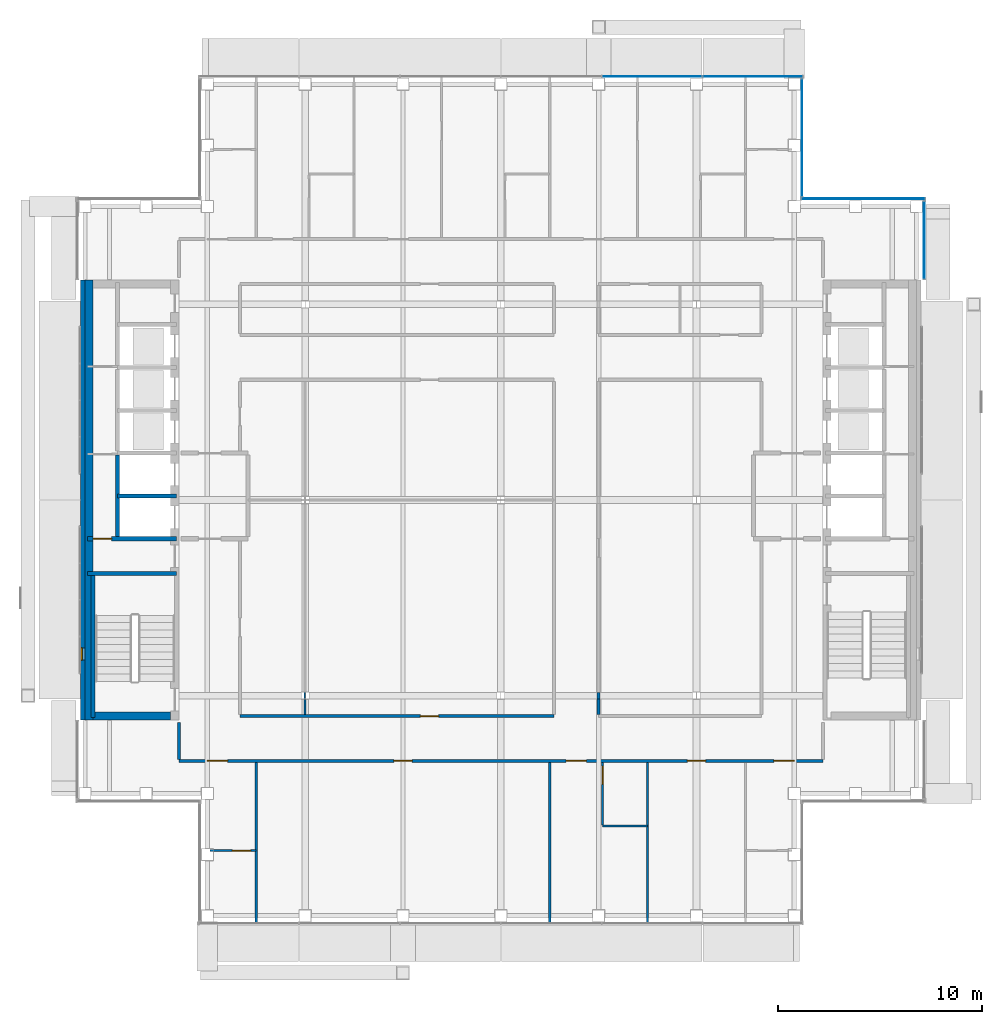
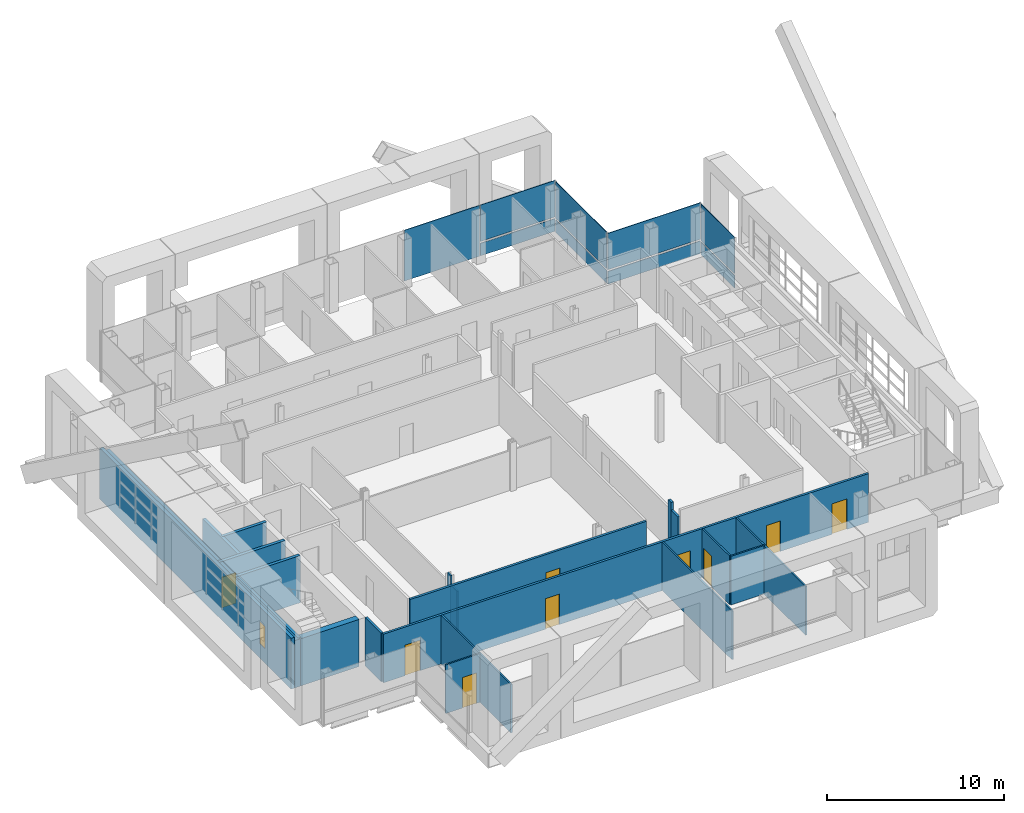
# One storey, part 11 of 23: 21 walls, 9 doors, 9 plates, 1 window, 10 openings, 4 elements without a shape of their own.
"""IFC4 building model written with IfcOpenShell, lengths in metres."""

import ifcopenshell
import ifcopenshell.guid

model = None  # the IFC model being written
_history = None  # IfcOwnerHistory: only IFC2X3 demands one
_inside = {}  # id of a spatial element -> (the spatial element, [elements in it])
_under = {}  # id of a project, library or spatial element -> (it, [spatial elements below it])
_declared = {}  # id of a project -> (the project, [libraries it declares])
_typed = {}  # id of a type object -> (the type object, [elements of that type])
_made_of = {}  # id of a material, layer set ... -> (it, [elements and type objects made of it])


def new_model(schema):
    """Start an empty IFC model of exactly this schema.

    Asked for "IFC4X3", IfcOpenShell would pick the latest addendum, in which some entities
    have other attributes; the version numbers below select the first issue.
    IFC2X3 requires an IfcOwnerHistory on every rooted entity: one is made here for all.
    """
    global model, _history
    if schema == "IFC4X3":
        model = ifcopenshell.file(schema_version=(4, 3, 0, 0))
    else:
        model = ifcopenshell.file(schema=schema)
    _inside.clear()
    _under.clear()
    _declared.clear()
    _typed.clear()
    _made_of.clear()
    _history = None
    if model.schema == "IFC2X3":
        org = make("IfcOrganization", Name="unknown")
        user = make(
            "IfcPersonAndOrganization",
            ThePerson=make("IfcPerson", FamilyName="unknown"),
            TheOrganization=org,
        )
        app = make(
            "IfcApplication",
            ApplicationDeveloper=org,
            Version="unknown",
            ApplicationFullName="unknown",
            ApplicationIdentifier="unknown",
        )
        _history = make(
            "IfcOwnerHistory",
            OwningUser=user,
            OwningApplication=app,
            ChangeAction="ADDED",
            CreationDate=0,
        )
    return model


def make(cls, **values):
    """One entity of the class cls with the attributes given. An attribute that is None is left unset."""
    return model.create_entity(
        cls, **{name: value for name, value in values.items() if value is not None}
    )


def rooted(cls, **values):
    """An entity with a GlobalId (a new one), such as an element, a storey or a relation."""
    return make(cls, GlobalId=ifcopenshell.guid.new(), OwnerHistory=_history, **values)


def si_unit(unit_type, name, prefix=None):
    """IfcSIUnit, for example si_unit("LENGTHUNIT", "METRE", prefix="MILLI")."""
    return make("IfcSIUnit", UnitType=unit_type, Prefix=prefix, Name=name)


def assignment(units):
    """IfcUnitAssignment: the units of a project."""
    return None if units is None else make("IfcUnitAssignment", Units=units)


def point(xyz):
    """IfcCartesianPoint."""
    return None if xyz is None else make("IfcCartesianPoint", Coordinates=xyz)


def direction(xyz):
    """IfcDirection."""
    return None if xyz is None else make("IfcDirection", DirectionRatios=xyz)


def frame(location, z_axis=None, x_axis=None):
    """IfcAxis2Placement3D, a coordinate frame: its origin and axes. An axis left out is left unset."""
    return make(
        "IfcAxis2Placement3D",
        Location=point(location),
        Axis=direction(z_axis),
        RefDirection=direction(x_axis),
    )


def frame_2d(location, x_axis=None):
    """IfcAxis2Placement2D, a coordinate frame in the plane: its origin and x axis."""
    return make(
        "IfcAxis2Placement2D", Location=point(location), RefDirection=direction(x_axis)
    )


def origin():
    """The frame at (0, 0, 0) with its axes left unset."""
    return frame((0.0, 0.0, 0.0))


def origin_2d():
    """The frame at (0, 0) in the plane with its x axis left unset."""
    return frame_2d((0.0, 0.0))


def place(relative_to, where):
    """IfcLocalPlacement: puts the frame where relative to a parent placement (None: the world)."""
    return make(
        "IfcLocalPlacement", PlacementRelTo=relative_to, RelativePlacement=where
    )


def context(
    kind, dimensions, precision=None, world=None, true_north=None, identifier=None
):
    """IfcGeometricRepresentationContext, for example the 3D "Model" context."""
    return make(
        "IfcGeometricRepresentationContext",
        ContextIdentifier=identifier,
        ContextType=kind,
        CoordinateSpaceDimension=dimensions,
        Precision=precision,
        WorldCoordinateSystem=world,
        TrueNorth=true_north,
    )


def subcontext(parent, identifier, kind, view, scale=None):
    """IfcGeometricRepresentationSubContext, for example "Body" below "Model"."""
    return make(
        "IfcGeometricRepresentationSubContext",
        ContextIdentifier=identifier,
        ContextType=kind,
        ParentContext=parent,
        TargetScale=scale,
        TargetView=view,
    )


def project(units=None, contexts=None):
    """IfcProject with its units and contexts."""
    return rooted(
        "IfcProject",
        Name="project",
        RepresentationContexts=contexts,
        UnitsInContext=assignment(units),
    )


def spatial(cls, under=None, at=None, **own):
    """A site, building, storey or space (cls), placed at a placement, below another one or the project."""
    s = rooted(cls, ObjectPlacement=at, **own)
    if under is not None:
        _under.setdefault(under.id(), (under, []))[1].append(s)
    return s


def profile(cls, at=None, kind="AREA", **sizes):
    """A parametric profile (cls). Its sizes go by their IFC names, for example OverallWidth=200.0."""
    return make(cls, ProfileType=kind, Position=at, **sizes)


def rectangle(**sizes):
    """IfcRectangleProfileDef."""
    return profile("IfcRectangleProfileDef", **sizes)


def extrude(swept, where, along, depth):
    """IfcExtrudedAreaSolid: the profile swept, set in the frame where, extruded along a direction by depth."""
    return make(
        "IfcExtrudedAreaSolid",
        SweptArea=swept,
        Position=where,
        ExtrudedDirection=direction(along),
        Depth=depth,
    )


def shape(context_of_items, identifier, shape_type, items):
    """IfcShapeRepresentation: the items that make up one representation, for example the "Body"."""
    return make(
        "IfcShapeRepresentation",
        ContextOfItems=context_of_items,
        RepresentationIdentifier=identifier,
        RepresentationType=shape_type,
        Items=items,
    )


def material(Name=None, Category=None):
    """IfcMaterial."""
    return make("IfcMaterial", Name=Name, Category=Category)


def layer(
    of_material, thickness, ventilated=None, Name=None, Category=None, Priority=None
):
    """IfcMaterialLayer: one layer of a wall or slab, of a material (None: an air gap)."""
    return make(
        "IfcMaterialLayer",
        Material=of_material,
        LayerThickness=thickness,
        IsVentilated=ventilated,
        Name=Name,
        Category=Category,
        Priority=Priority,
    )


def layer_set(layers, Name=None):
    """IfcMaterialLayerSet."""
    return make("IfcMaterialLayerSet", MaterialLayers=layers, LayerSetName=Name)


def made_of(thing, what):
    """Note that an element or type object is made of a material, layer set ...; save() writes the relation."""
    if what is not None:
        _made_of.setdefault(what.id(), (what, []))[1].append(thing)
    return thing


def type_object(cls, material=None, **own):
    """A type object (cls), such as IfcWallType, which elements share."""
    return made_of(rooted(cls, **own), material)


def element(
    cls,
    number,
    at=None,
    inside=None,
    cuts=None,
    type_object=None,
    material=None,
    context=None,
    identifier="Body",
    shape_type=None,
    held_by="IfcProductDefinitionShape",
    body=None,
    shapes=None,
    **own,
):
    """One element of the class cls, such as IfcWall. Its Tag is "e" and its number.

    at: its placement. inside: the storey or other place that contains it. cuts: it is an
    opening in that element (IfcRelVoidsElement). A single representation is given by context,
    identifier, shape_type and body (its items); several are given by shapes. held_by: the class
    of the entity that holds the representations. save() writes the other relations.
    """
    e = rooted(cls, Tag="e%d" % number, ObjectPlacement=at, **own)
    if body is not None:
        shapes = [shape(context, identifier, shape_type, body)]
    if shapes is not None:
        e.Representation = make(held_by, Representations=shapes)
    if inside is not None:
        _inside.setdefault(inside.id(), (inside, []))[1].append(e)
    if cuts is not None:
        rooted(
            "IfcRelVoidsElement", RelatingBuildingElement=cuts, RelatedOpeningElement=e
        )
    if type_object is not None:
        _typed.setdefault(type_object.id(), (type_object, []))[1].append(e)
    return made_of(e, material)


def fill(opening, filler):
    """IfcRelFillsElement: the door or window that sits in an opening."""
    return rooted(
        "IfcRelFillsElement",
        RelatingOpeningElement=opening,
        RelatedBuildingElement=filler,
    )


def aggregate(whole, parts):
    """IfcRelAggregates: a whole, such as a stair, and the parts it consists of."""
    return rooted("IfcRelAggregates", RelatingObject=whole, RelatedObjects=parts)


def save(model, path):
    """Write the relations noted so far, then the file.

    IfcRelAggregates (storeys below a building ...), IfcRelContainedInSpatialStructure (elements
    in a storey), IfcRelDefinesByType, IfcRelAssociatesMaterial and IfcRelDeclares: one each for
    every whole, place, type object, material and project.
    """
    for whole, parts in _under.values():
        aggregate(whole, parts)
    for where, things in _inside.values():
        rooted(
            "IfcRelContainedInSpatialStructure",
            RelatedElements=things,
            RelatingStructure=where,
        )
    for kind, things in _typed.values():
        rooted("IfcRelDefinesByType", RelatedObjects=things, RelatingType=kind)
    for what, things in _made_of.values():
        rooted("IfcRelAssociatesMaterial", RelatedObjects=things, RelatingMaterial=what)
    for by, libraries in _declared.values():
        rooted("IfcRelDeclares", RelatingContext=by, RelatedDefinitions=libraries)
    model.write(path)


model = new_model("IFC4")

# Units and contexts
model_context = context("Model", 3, precision=1e-05, world=origin(), true_north=direction((0.0, 1.0)))
body_context = subcontext(model_context, "Body", "Model", "MODEL_VIEW")
ifc_project = project(units=[si_unit("LENGTHUNIT", "METRE"), si_unit("AREAUNIT", "SQUARE_METRE"), si_unit("VOLUMEUNIT", "CUBIC_METRE"), si_unit("PLANEANGLEUNIT", "RADIAN"), si_unit("MASSUNIT", "GRAM", prefix="KILO")], contexts=[model_context])

# Site, building, storey
site_placement = place(None, origin())
site = spatial("IfcSite", under=ifc_project, at=site_placement, CompositionType="ELEMENT")
building_placement = place(site_placement, origin())
building = spatial("IfcBuilding", under=site, at=building_placement, Name="Cobrizo Arcos Hotel Tower", CompositionType="ELEMENT")
storey_placement = place(building_placement, frame((0.0, 0.0, 255.0)))
storey = spatial("IfcBuildingStorey", under=building, at=storey_placement, Name="L67", CompositionType="ELEMENT", Elevation=255.0)

# Curtain wall, plate
ifc_material_1 = material(Name="Aluminium 6063-T6 anodised bronze", Category="aluminium")
curtain_wall_type = type_object("IfcCurtainWallType", Name="CW-A guest facade", PredefinedType="NOTDEFINED", material=ifc_material_1)
curtain_wall_1_placement = place(storey_placement, origin())
curtain_wall_1 = element("IfcCurtainWall", 1, at=curtain_wall_1_placement, inside=storey, type_object=curtain_wall_type, Name="CW-A L67 E face", PredefinedType="NOTDEFINED")
ifc_material_2 = material(Name="Glass clear laminated low-e", Category="glass")
ifc_layer_1 = layer(ifc_material_2, 0.0400390625)
ifc_layer_set_1 = layer_set([ifc_layer_1], Name="CW-A glass panel")
plate_type_1 = type_object("IfcPlateType", Name="CW-A glass panel", PredefinedType="CURTAIN_PANEL", material=ifc_layer_set_1)
plate_1_placement = place(storey_placement, frame((20.77490234375, 12.75, 0.990234375), z_axis=(0.0, 0.0, 1.0), x_axis=(0.0, 1.0, 0.0)))
plate_1 = element("IfcPlate", 2, at=plate_1_placement, type_object=plate_type_1, Name="CW-A glass panel 2117", PredefinedType="CURTAIN_PANEL", context=body_context, shape_type="SweptSolid", body=[
    extrude(rectangle(XDim=3.780029296875, YDim=0.0400390625, at=origin_2d()), origin(), (0.0, 0.0, 1.0), 2.510009765625),
])

curtain_wall_2_placement = place(storey_placement, origin())
curtain_wall_2 = element("IfcCurtainWall", 3, at=curtain_wall_2_placement, inside=storey, type_object=curtain_wall_type, Name="CW-A L67 N face", PredefinedType="NOTDEFINED")
plate_2_placement = place(storey_placement, frame((17.77490234375, 14.77490234375, 0.990234375), z_axis=(0.0, 0.0, 1.0), x_axis=(-1.0, 0.0, 0.0)))
plate_2 = element("IfcPlate", 4, at=plate_2_placement, type_object=plate_type_1, Name="CW-A glass panel 2118", PredefinedType="CURTAIN_PANEL", context=body_context, shape_type="SweptSolid", body=[
    extrude(rectangle(XDim=6.030029296875, YDim=0.0400390625, at=origin_2d()), origin(), (0.0, 0.0, 1.0), 2.510009765625),
])

curtain_wall_3_placement = place(storey_placement, origin())
curtain_wall_3 = element("IfcCurtainWall", 5, at=curtain_wall_3_placement, inside=storey, type_object=curtain_wall_type, Name="CW-A L67 E face", PredefinedType="NOTDEFINED")
plate_3_placement = place(storey_placement, frame((14.77490234375, 17.77490234375, 0.990234375), z_axis=(0.0, 0.0, 1.0), x_axis=(0.0, 1.0, 0.0)))
plate_3 = element("IfcPlate", 6, at=plate_3_placement, type_object=plate_type_1, Name="CW-A glass panel 2119", PredefinedType="CURTAIN_PANEL", context=body_context, shape_type="SweptSolid", body=[
    extrude(rectangle(XDim=5.72998046875, YDim=0.0400390625, at=origin_2d()), origin(), (0.0, 0.0, 1.0), 2.510009765625),
])

curtain_wall_4_placement = place(storey_placement, origin())
curtain_wall_4 = element("IfcCurtainWall", 7, at=curtain_wall_4_placement, inside=storey, type_object=curtain_wall_type, Name="CW-A L67 N face", PredefinedType="NOTDEFINED")
plate_4_placement = place(storey_placement, frame((12.360107421875, 20.77490234375, 0.990234375), z_axis=(0.0, 0.0, 1.0), x_axis=(-1.0, 0.0, 0.0)))
plate_4 = element("IfcPlate", 8, at=plate_4_placement, type_object=plate_type_1, Name="CW-A glass panel 2120", PredefinedType="CURTAIN_PANEL", context=body_context, shape_type="SweptSolid", body=[
    extrude(rectangle(XDim=4.860107421875, YDim=0.0400390625, at=origin_2d()), origin(), (0.0, 0.0, 1.0), 2.510009765625),
])

# Plate
ifc_material_3 = material(Name="Aluminium composite panel pale metal", Category="aluminium")
ifc_layer_2 = layer(ifc_material_3, 0.0400390625)
ifc_layer_set_2 = layer_set([ifc_layer_2], Name="CW-A spandrel panel")
plate_type_2 = type_object("IfcPlateType", Name="CW-A spandrel panel", PredefinedType="CURTAIN_PANEL", material=ifc_layer_set_2)
plate_5_placement = place(storey_placement, frame((20.77490234375, 12.75, 0.0), z_axis=(0.0, 0.0, 1.0), x_axis=(0.0, 1.0, 0.0)))
plate_5 = element("IfcPlate", 9, at=plate_5_placement, type_object=plate_type_2, Name="CW-A spandrel panel 2117", PredefinedType="CURTAIN_PANEL", context=body_context, shape_type="SweptSolid", body=[
    extrude(rectangle(XDim=3.780029296875, YDim=0.0400390625, at=origin_2d()), origin(), (0.0, 0.0, 1.0), 0.8701171875),
])

aggregate(curtain_wall_1, [plate_5, plate_1])

plate_6_placement = place(storey_placement, frame((17.77490234375, 14.77490234375, 0.0), z_axis=(0.0, 0.0, 1.0), x_axis=(-1.0, 0.0, 0.0)))
plate_6 = element("IfcPlate", 10, at=plate_6_placement, type_object=plate_type_2, Name="CW-A spandrel panel 2118", PredefinedType="CURTAIN_PANEL", context=body_context, shape_type="SweptSolid", body=[
    extrude(rectangle(XDim=6.030029296875, YDim=0.0400390625, at=origin_2d()), origin(), (0.0, 0.0, 1.0), 0.8701171875),
])

aggregate(curtain_wall_2, [plate_6, plate_2])

plate_7_placement = place(storey_placement, frame((14.77490234375, 17.77490234375, 0.0), z_axis=(0.0, 0.0, 1.0), x_axis=(0.0, 1.0, 0.0)))
plate_7 = element("IfcPlate", 11, at=plate_7_placement, type_object=plate_type_2, Name="CW-A spandrel panel 2119", PredefinedType="CURTAIN_PANEL", context=body_context, shape_type="SweptSolid", body=[
    extrude(rectangle(XDim=5.72998046875, YDim=0.0400390625, at=origin_2d()), origin(), (0.0, 0.0, 1.0), 0.8701171875),
])

aggregate(curtain_wall_3, [plate_7, plate_3])

plate_8_placement = place(storey_placement, frame((12.360107421875, 20.77490234375, 0.0), z_axis=(0.0, 0.0, 1.0), x_axis=(-1.0, 0.0, 0.0)))
plate_8 = element("IfcPlate", 12, at=plate_8_placement, type_object=plate_type_2, Name="CW-A spandrel panel 2120", PredefinedType="CURTAIN_PANEL", context=body_context, shape_type="SweptSolid", body=[
    extrude(rectangle(XDim=4.860107421875, YDim=0.0400390625, at=origin_2d()), origin(), (0.0, 0.0, 1.0), 0.8701171875),
])

plate_9_placement = place(storey_placement, frame((7.425048828125, 20.77490234375, 0.0), z_axis=(0.0, 0.0, 1.0), x_axis=(-1.0, 0.0, 0.0)))
plate_9 = element("IfcPlate", 13, at=plate_9_placement, type_object=plate_type_2, Name="CW-A spandrel panel 2121", PredefinedType="CURTAIN_PANEL", context=body_context, shape_type="SweptSolid", body=[
    extrude(rectangle(XDim=4.889892578125, YDim=0.0400390625, at=origin_2d()), origin(), (0.0, 0.0, 1.0), 3.5),
])

aggregate(curtain_wall_4, [plate_8, plate_4, plate_9])

# Wall, openings, doors
ifc_material_4 = material(Name="Gypsum board partition")
ifc_layer_3 = layer(ifc_material_4, 0.14990234375)
ifc_layer_set_3 = layer_set([ifc_layer_3], Name="Corridor wall EI 60 150")
wall_type_1 = type_object("IfcWallType", Name="Corridor wall EI 60 150", PredefinedType="PARTITIONING", material=ifc_layer_set_3)
wall_1_placement = place(storey_placement, frame((-15.800048828125, -12.800048828125, 0.0), z_axis=(0.0, 0.0, 1.0), x_axis=(1.0, 0.0, 0.0)))
wall_1 = element("IfcWall", 14, at=wall_1_placement, inside=storey, type_object=wall_type_1, Name="Partition 004", PredefinedType="PARTITIONING", context=body_context, shape_type="SweptSolid", body=[
    extrude(rectangle(XDim=31.60009765625, YDim=0.14990234375, at=frame_2d((15.800048828125, 0.0))), origin(), (0.0, 0.0, 1.0), 3.35009765625),
])
opening_1_placement = place(wall_1_placement, frame((10.550048828125, 0.0, 0.0)))
opening_1 = element("IfcOpeningElement", 15, at=opening_1_placement, cuts=wall_1, Name="Opening RD-10", PredefinedType="OPENING", context=body_context, shape_type="SweptSolid", body=[
    extrude(rectangle(XDim=0.89990234375, YDim=2.10009765625, at=frame_2d((0.449951171875, 1.050048828125))), frame((0.0, 0.0869140625, 0.0), z_axis=(0.0, -1.0, 0.0), x_axis=(1.0, 0.0, 0.0)), (0.0, 0.0, 1.0), 0.173828125),
])
opening_2_placement = place(wall_1_placement, frame((19.0, 0.0, 0.0)))
opening_2 = element("IfcOpeningElement", 16, at=opening_2_placement, cuts=wall_1, Name="Opening GD-04", PredefinedType="OPENING", context=body_context, shape_type="SweptSolid", body=[
    extrude(rectangle(XDim=1.0, YDim=2.10009765625, at=frame_2d((0.5, 1.050048828125))), frame((0.0, 0.0869140625, 0.0), z_axis=(0.0, -1.0, 0.0), x_axis=(1.0, 0.0, 0.0)), (0.0, 0.0, 1.0), 0.173828125),
])
opening_3_placement = place(wall_1_placement, frame((24.949951171875, 0.0, 0.0)))
opening_3 = element("IfcOpeningElement", 17, at=opening_3_placement, cuts=wall_1, Name="Opening RD-11", PredefinedType="OPENING", context=body_context, shape_type="SweptSolid", body=[
    extrude(rectangle(XDim=0.89990234375, YDim=2.10009765625, at=frame_2d((0.449951171875, 1.050048828125))), frame((0.0, 0.0869140625, 0.0), z_axis=(0.0, -1.0, 0.0), x_axis=(1.0, 0.0, 0.0)), (0.0, 0.0, 1.0), 0.173828125),
])
opening_4_placement = place(wall_1_placement, frame((1.39990234375, 0.0, 0.0)))
opening_4 = element("IfcOpeningElement", 18, at=opening_4_placement, cuts=wall_1, Name="Opening GD-05", PredefinedType="OPENING", context=body_context, shape_type="SweptSolid", body=[
    extrude(rectangle(XDim=1.0, YDim=2.10009765625, at=frame_2d((0.5, 1.050048828125))), frame((0.0, 0.0869140625, 0.0), z_axis=(0.0, -1.0, 0.0), x_axis=(1.0, 0.0, 0.0)), (0.0, 0.0, 1.0), 0.173828125),
])
opening_5_placement = place(wall_1_placement, frame((29.199951171875, 0.0, 0.0)))
opening_5 = element("IfcOpeningElement", 19, at=opening_5_placement, cuts=wall_1, Name="Opening GD-07", PredefinedType="OPENING", context=body_context, shape_type="SweptSolid", body=[
    extrude(rectangle(XDim=1.0, YDim=2.10009765625, at=frame_2d((0.5, 1.050048828125))), frame((0.0, 0.0869140625, 0.0), z_axis=(0.0, -1.0, 0.0), x_axis=(1.0, 0.0, 0.0)), (0.0, 0.0, 1.0), 0.173828125),
])
ifc_material_5 = material(Name="Timber door leaf", Category="wood")
door_type_1 = type_object("IfcDoorType", Name="Guest room door FD30S 1000x2100", OperationType="SINGLE_SWING_LEFT", PredefinedType="DOOR", material=ifc_material_5)
door_1_placement = place(opening_2_placement, origin())
door_1 = element("IfcDoor", 20, at=door_1_placement, inside=storey, type_object=door_type_1, Name="Door GD-04", OperationType="SINGLE_SWING_RIGHT", OverallHeight=2.10009765625, OverallWidth=1.0, PredefinedType="DOOR", context=body_context, shape_type="SweptSolid", body=[
    extrude(rectangle(XDim=1.0, YDim=2.10009765625, at=frame_2d((0.5, 1.050048828125))), frame((0.0, 0.02490234375, 0.0), z_axis=(0.0, -1.0, 0.0), x_axis=(1.0, 0.0, 0.0)), (0.0, 0.0, 1.0), 0.050048828125),
])
fill(opening_2, door_1)
door_2_placement = place(opening_4_placement, origin())
door_2 = element("IfcDoor", 21, at=door_2_placement, inside=storey, type_object=door_type_1, Name="Door GD-05", OperationType="SINGLE_SWING_LEFT", OverallHeight=2.10009765625, OverallWidth=1.0, PredefinedType="DOOR", context=body_context, shape_type="SweptSolid", body=[
    extrude(rectangle(XDim=1.0, YDim=2.10009765625, at=frame_2d((0.5, 1.050048828125))), frame((0.0, 0.02490234375, 0.0), z_axis=(0.0, -1.0, 0.0), x_axis=(1.0, 0.0, 0.0)), (0.0, 0.0, 1.0), 0.050048828125),
])
fill(opening_4, door_2)
door_3_placement = place(opening_5_placement, origin())
door_3 = element("IfcDoor", 22, at=door_3_placement, inside=storey, type_object=door_type_1, Name="Door GD-07", OperationType="SINGLE_SWING_RIGHT", OverallHeight=2.10009765625, OverallWidth=1.0, PredefinedType="DOOR", context=body_context, shape_type="SweptSolid", body=[
    extrude(rectangle(XDim=1.0, YDim=2.10009765625, at=frame_2d((0.5, 1.050048828125))), frame((0.0, 0.02490234375, 0.0), z_axis=(0.0, -1.0, 0.0), x_axis=(1.0, 0.0, 0.0)), (0.0, 0.0, 1.0), 0.050048828125),
])
fill(opening_5, door_3)
door_type_2 = type_object("IfcDoorType", Name="Room door FD30 900x2100", OperationType="SINGLE_SWING_LEFT", PredefinedType="DOOR", material=ifc_material_5)
door_4_placement = place(opening_1_placement, origin())
door_4 = element("IfcDoor", 23, at=door_4_placement, inside=storey, type_object=door_type_2, Name="Door RD-10", OperationType="SINGLE_SWING_LEFT", OverallHeight=2.10009765625, OverallWidth=0.89990234375, PredefinedType="DOOR", context=body_context, shape_type="SweptSolid", body=[
    extrude(rectangle(XDim=0.89990234375, YDim=2.10009765625, at=frame_2d((0.449951171875, 1.050048828125))), frame((0.0, 0.02490234375, 0.0), z_axis=(0.0, -1.0, 0.0), x_axis=(1.0, 0.0, 0.0)), (0.0, 0.0, 1.0), 0.050048828125),
])
fill(opening_1, door_4)
door_5_placement = place(opening_3_placement, origin())
door_5 = element("IfcDoor", 24, at=door_5_placement, inside=storey, type_object=door_type_2, Name="Door RD-11", OperationType="SINGLE_SWING_LEFT", OverallHeight=2.10009765625, OverallWidth=0.89990234375, PredefinedType="DOOR", context=body_context, shape_type="SweptSolid", body=[
    extrude(rectangle(XDim=0.89990234375, YDim=2.10009765625, at=frame_2d((0.449951171875, 1.050048828125))), frame((0.0, 0.02490234375, 0.0), z_axis=(0.0, -1.0, 0.0), x_axis=(1.0, 0.0, 0.0)), (0.0, 0.0, 1.0), 0.050048828125),
])
fill(opening_3, door_5)

# Wall, opening, door
wall_2_placement = place(storey_placement, frame((-12.800048828125, -10.60009765625, 0.0), z_axis=(0.0, 0.0, 1.0), x_axis=(1.0, 0.0, 0.0)))
wall_2 = element("IfcWall", 25, at=wall_2_placement, inside=storey, type_object=wall_type_1, Name="Partition 005", PredefinedType="PARTITIONING", context=body_context, shape_type="SweptSolid", body=[
    extrude(rectangle(XDim=15.400146484375, YDim=0.14990234375, at=frame_2d((7.7001953125, 0.0))), origin(), (0.0, 0.0, 1.0), 3.35009765625),
])
opening_6_placement = place(wall_2_placement, frame((8.85009765625, 0.0, 0.0)))
opening_6 = element("IfcOpeningElement", 26, at=opening_6_placement, cuts=wall_2, Name="Opening RD-16", PredefinedType="OPENING", context=body_context, shape_type="SweptSolid", body=[
    extrude(rectangle(XDim=0.89990234375, YDim=2.10009765625, at=frame_2d((0.449951171875, 1.050048828125))), frame((0.0, 0.0869140625, 0.0), z_axis=(0.0, -1.0, 0.0), x_axis=(1.0, 0.0, 0.0)), (0.0, 0.0, 1.0), 0.173828125),
])
door_6_placement = place(opening_6_placement, origin())
door_6 = element("IfcDoor", 27, at=door_6_placement, inside=storey, type_object=door_type_2, Name="Door RD-16", OperationType="SINGLE_SWING_LEFT", OverallHeight=2.10009765625, OverallWidth=0.89990234375, PredefinedType="DOOR", context=body_context, shape_type="SweptSolid", body=[
    extrude(rectangle(XDim=0.89990234375, YDim=2.10009765625, at=frame_2d((0.449951171875, 1.050048828125))), frame((0.0, 0.02490234375, 0.0), z_axis=(0.0, -1.0, 0.0), x_axis=(1.0, 0.0, 0.0)), (0.0, 0.0, 1.0), 0.050048828125),
])
fill(opening_6, door_6)

# Walls
wall_3_placement = place(storey_placement, frame((-15.800048828125, -12.72509765625, 0.0), z_axis=(0.0, 0.0, 1.0), x_axis=(0.0, 1.0, 0.0)))
element("IfcWall", 28, at=wall_3_placement, inside=storey, type_object=wall_type_1, Name="Partition 050", PredefinedType="PARTITIONING", context=body_context, shape_type="SweptSolid", body=[
    extrude(rectangle(XDim=1.80517578125, YDim=0.14990234375, at=frame_2d((0.902587890625, 0.0))), origin(), (0.0, 0.0, 1.0), 3.35009765625),
])
wall_4_placement = place(storey_placement, frame((4.800048828125, -10.52490234375, 0.0), z_axis=(0.0, 0.0, 1.0), x_axis=(0.0, 1.0, 0.0)))
element("IfcWall", 29, at=wall_4_placement, inside=storey, type_object=wall_type_1, Name="Partition 070", PredefinedType="PARTITIONING", context=body_context, shape_type="SweptSolid", body=[
    extrude(rectangle(XDim=0.760986328125, YDim=0.14990234375, at=frame_2d((0.38037109375, 0.0))), origin(), (0.0, 0.0, 1.0), 2.81689453125),
])
wall_5_placement = place(storey_placement, frame((4.800048828125, -9.763916015625, 0.0), z_axis=(0.0, 0.0, 1.0), x_axis=(0.0, 1.0, 0.0)))
element("IfcWall", 30, at=wall_5_placement, inside=storey, type_object=wall_type_1, Name="Partition 071", PredefinedType="PARTITIONING", context=body_context, shape_type="SweptSolid", body=[
    extrude(rectangle(XDim=0.327880859375, YDim=0.14990234375, at=frame_2d((0.1640625, 0.0))), origin(), (0.0, 0.0, 1.0), 3.35009765625),
])

# Wall, opening, window
ifc_layer_4 = layer(ifc_material_3, 0.22509765625)
ifc_layer_set_4 = layer_set([ifc_layer_4], Name="EW-1 insulated panel wall 225")
wall_type_2 = type_object("IfcWallType", Name="EW-1 insulated panel wall 225", PredefinedType="SOLIDWALL", material=ifc_layer_set_4)
wall_6_placement = place(storey_placement, frame((-20.512451171875, 10.800048828125, 0.0), z_axis=(0.0, 0.0, 1.0), x_axis=(0.0, -1.0, 0.0)))
wall_6 = element("IfcWall", 31, at=wall_6_placement, inside=storey, type_object=wall_type_2, Name="Core face wall L67 W", PredefinedType="SOLIDWALL", context=body_context, shape_type="SweptSolid", body=[
    extrude(rectangle(XDim=21.60009765625, YDim=0.22509765625, at=frame_2d((10.800048828125, 0.0))), origin(), (0.0, 0.0, 1.0), 3.5),
])
opening_7_placement = place(wall_6_placement, frame((18.050048828125, 0.0, 1.0)))
opening_7 = element("IfcOpeningElement", 32, at=opening_7_placement, cuts=wall_6, Name="Opening W-154", PredefinedType="OPENING", context=body_context, shape_type="SweptSolid", body=[
    extrude(rectangle(XDim=0.60009765625, YDim=1.5, at=frame_2d((0.300048828125, 0.75))), frame((0.0, 0.12451171875, 0.0), z_axis=(0.0, -1.0, 0.0), x_axis=(1.0, 0.0, 0.0)), (0.0, 0.0, 1.0), 0.2490234375),
])
ifc_material_6 = material(Name="Aluminium 6063-T6 and clear laminated glass", Category="aluminium")
window_type = type_object("IfcWindowType", Name="W-C1 core stair slot window 600x1500", PartitioningType="SINGLE_PANEL", PredefinedType="WINDOW", material=ifc_material_6)
window_placement = place(opening_7_placement, origin())
window = element("IfcWindow", 33, at=window_placement, inside=storey, type_object=window_type, Name="Core face wall L67 W window W-154", OverallHeight=1.5, OverallWidth=0.60009765625, PartitioningType="SINGLE_PANEL", PredefinedType="WINDOW", context=body_context, shape_type="SweptSolid", body=[
    extrude(rectangle(XDim=0.60009765625, YDim=1.5, at=frame_2d((0.300048828125, 0.75))), frame((0.0, -0.0224609375, 0.0), z_axis=(0.0, -1.0, 0.0), x_axis=(1.0, 0.0, 0.0)), (0.0, 0.0, 1.0), 0.06005859375),
])
fill(opening_7, window)

# Wall, opening, door
ifc_layer_5 = layer(ifc_material_4, 0.10009765625)
ifc_layer_set_5 = layer_set([ifc_layer_5], Name="Partition EI 30 100")
wall_type_3 = type_object("IfcWallType", Name="Partition EI 30 100", PredefinedType="PARTITIONING", material=ifc_layer_set_5)
wall_7_placement = place(storey_placement, frame((-14.280029296875, -17.199951171875, 0.0), z_axis=(0.0, 0.0, 1.0), x_axis=(1.0, 0.0, 0.0)))
wall_7 = element("IfcWall", 34, at=wall_7_placement, inside=storey, type_object=wall_type_3, Name="Partition 001", PredefinedType="PARTITIONING", context=body_context, shape_type="SweptSolid", body=[
    extrude(rectangle(XDim=2.280029296875, YDim=0.10009765625, at=frame_2d((1.14013671875, 0.0))), origin(), (0.0, 0.0, 1.0), 3.35009765625),
])
opening_8_placement = place(wall_7_placement, frame((1.110107421875, 0.0, 0.0)))
opening_8 = element("IfcOpeningElement", 35, at=opening_8_placement, cuts=wall_7, Name="Opening ED-06", PredefinedType="OPENING", context=body_context, shape_type="SweptSolid", body=[
    extrude(rectangle(XDim=0.89990234375, YDim=2.10009765625, at=frame_2d((0.449951171875, 1.050048828125))), frame((0.0, 0.06201171875, 0.0), z_axis=(0.0, -1.0, 0.0), x_axis=(1.0, 0.0, 0.0)), (0.0, 0.0, 1.0), 0.1240234375),
])
door_type_3 = type_object("IfcDoorType", Name="En-suite door 900x2100", OperationType="SINGLE_SWING_LEFT", PredefinedType="DOOR", material=ifc_material_5)
door_7_placement = place(opening_8_placement, origin())
door_7 = element("IfcDoor", 36, at=door_7_placement, inside=storey, type_object=door_type_3, Name="Door ED-06", OperationType="SINGLE_SWING_LEFT", OverallHeight=2.10009765625, OverallWidth=0.89990234375, PredefinedType="DOOR", context=body_context, shape_type="SweptSolid", body=[
    extrude(rectangle(XDim=0.89990234375, YDim=2.10009765625, at=frame_2d((0.449951171875, 1.050048828125))), frame((0.0, 0.02490234375, 0.0), z_axis=(0.0, -1.0, 0.0), x_axis=(1.0, 0.0, 0.0)), (0.0, 0.0, 1.0), 0.050048828125),
])
fill(opening_8, door_7)

# Walls
wall_8_placement = place(storey_placement, frame((5.0, -16.0, 0.0), z_axis=(0.0, 0.0, 1.0), x_axis=(1.0, 0.0, 0.0)))
element("IfcWall", 37, at=wall_8_placement, inside=storey, type_object=wall_type_3, Name="Partition 003", PredefinedType="PARTITIONING", context=body_context, shape_type="SweptSolid", body=[
    extrude(rectangle(XDim=2.199951171875, YDim=0.10009765625, at=frame_2d((1.10009765625, 0.0))), origin(), (0.0, 0.0, 1.0), 3.35009765625),
])
wall_9_placement = place(storey_placement, frame((-12.0, -20.72998046875, 0.0), z_axis=(0.0, 0.0, 1.0), x_axis=(0.0, 1.0, 0.0)))
element("IfcWall", 38, at=wall_9_placement, inside=storey, type_object=wall_type_3, Name="Partition 056", PredefinedType="PARTITIONING", context=body_context, shape_type="SweptSolid", body=[
    extrude(rectangle(XDim=7.85498046875, YDim=0.10009765625, at=frame_2d((3.927490234375, 0.0))), origin(), (0.0, 0.0, 1.0), 3.35009765625),
])
wall_10_placement = place(storey_placement, frame((-9.60009765625, -10.52490234375, 0.0), z_axis=(0.0, 0.0, 1.0), x_axis=(0.0, 1.0, 0.0)))
element("IfcWall", 39, at=wall_10_placement, inside=storey, type_object=wall_type_3, Name="Partition 058", PredefinedType="PARTITIONING", context=body_context, shape_type="SweptSolid", body=[
    extrude(rectangle(XDim=0.740966796875, YDim=0.10009765625, at=frame_2d((0.37060546875, 0.0))), origin(), (0.0, 0.0, 1.0), 2.72802734375),
])
wall_11_placement = place(storey_placement, frame((-9.60009765625, -9.783935546875, 0.0), z_axis=(0.0, 0.0, 1.0), x_axis=(0.0, 1.0, 0.0)))
element("IfcWall", 40, at=wall_11_placement, inside=storey, type_object=wall_type_3, Name="Partition 059", PredefinedType="PARTITIONING", context=body_context, shape_type="SweptSolid", body=[
    extrude(rectangle(XDim=0.367919921875, YDim=0.10009765625, at=frame_2d((0.18408203125, 0.0))), origin(), (0.0, 0.0, 1.0), 3.35009765625),
])
wall_12_placement = place(storey_placement, frame((2.39990234375, -20.72998046875, 0.0), z_axis=(0.0, 0.0, 1.0), x_axis=(0.0, 1.0, 0.0)))
element("IfcWall", 41, at=wall_12_placement, inside=storey, type_object=wall_type_3, Name="Partition 066", PredefinedType="PARTITIONING", context=body_context, shape_type="SweptSolid", body=[
    extrude(rectangle(XDim=7.85498046875, YDim=0.10009765625, at=frame_2d((3.927490234375, 0.0))), origin(), (0.0, 0.0, 1.0), 3.35009765625),
])

# Wall, opening, door
wall_13_placement = place(storey_placement, frame((5.0, -15.949951171875, 0.0), z_axis=(0.0, 0.0, 1.0), x_axis=(0.0, 1.0, 0.0)))
wall_13 = element("IfcWall", 42, at=wall_13_placement, inside=storey, type_object=wall_type_3, Name="Partition 078", PredefinedType="PARTITIONING", context=body_context, shape_type="SweptSolid", body=[
    extrude(rectangle(XDim=3.074951171875, YDim=0.10009765625, at=frame_2d((1.53759765625, 0.0))), origin(), (0.0, 0.0, 1.0), 3.35009765625),
])
opening_9_placement = place(wall_13_placement, frame((1.99609375, 0.0, 0.0)))
opening_9 = element("IfcOpeningElement", 43, at=opening_9_placement, cuts=wall_13, Name="Opening ED-05", PredefinedType="OPENING", context=body_context, shape_type="SweptSolid", body=[
    extrude(rectangle(XDim=0.89990234375, YDim=2.10009765625, at=frame_2d((0.449951171875, 1.050048828125))), frame((0.0, 0.06201171875, 0.0), z_axis=(0.0, -1.0, 0.0), x_axis=(1.0, 0.0, 0.0)), (0.0, 0.0, 1.0), 0.1240234375),
])
door_8_placement = place(opening_9_placement, origin())
door_8 = element("IfcDoor", 44, at=door_8_placement, inside=storey, type_object=door_type_3, Name="Door ED-05", OperationType="SINGLE_SWING_LEFT", OverallHeight=2.10009765625, OverallWidth=0.89990234375, PredefinedType="DOOR", context=body_context, shape_type="SweptSolid", body=[
    extrude(rectangle(XDim=0.89990234375, YDim=2.10009765625, at=frame_2d((0.449951171875, 1.050048828125))), frame((0.0, 0.02490234375, 0.0), z_axis=(0.0, -1.0, 0.0), x_axis=(1.0, 0.0, 0.0)), (0.0, 0.0, 1.0), 0.050048828125),
])
fill(opening_9, door_8)

# Walls
wall_14_placement = place(storey_placement, frame((7.199951171875, -20.72998046875, 0.0), z_axis=(0.0, 0.0, 1.0), x_axis=(0.0, 1.0, 0.0)))
element("IfcWall", 45, at=wall_14_placement, inside=storey, type_object=wall_type_3, Name="Partition 080", PredefinedType="PARTITIONING", context=body_context, shape_type="SweptSolid", body=[
    extrude(rectangle(XDim=7.85498046875, YDim=0.10009765625, at=frame_2d((3.927490234375, 0.0))), origin(), (0.0, 0.0, 1.0), 3.35009765625),
])
ifc_material_7 = material(Name="Concrete f'c 40 MPa", Category="concrete")
ifc_layer_6 = layer(ifc_material_7, 0.39990234375)
ifc_layer_set_6 = layer_set([ifc_layer_6], Name="RC core wall 400 f'c 40")
wall_type_4 = type_object("IfcWallType", Name="RC core wall 400 f'c 40", PredefinedType="SHEAR", material=ifc_layer_set_6)
wall_15_placement = place(storey_placement, frame((-20.199951171875, -10.800048828125, 0.0), z_axis=(0.0, 0.0, 1.0), x_axis=(0.0, 1.0, 0.0)))
element("IfcWall", 46, at=wall_15_placement, inside=storey, type_object=wall_type_4, Name="Core wall CW4, west core, outer face, L67", PredefinedType="SHEAR", context=body_context, shape_type="SweptSolid", body=[
    extrude(rectangle(XDim=21.60009765625, YDim=0.39990234375, at=frame_2d((10.800048828125, 0.0))), origin(), (0.0, 0.0, 1.0), 3.25),
])
wall_16_placement = place(storey_placement, frame((-20.0, -10.60009765625, 0.0), z_axis=(0.0, 0.0, 1.0), x_axis=(1.0, 0.0, 0.0)))
element("IfcWall", 47, at=wall_16_placement, inside=storey, type_object=wall_type_4, Name="Core wall CW4, west core, south end, L67", PredefinedType="SHEAR", context=body_context, shape_type="SweptSolid", body=[
    extrude(rectangle(XDim=3.800048828125, YDim=0.39990234375, at=frame_2d((1.89990234375, 0.0))), origin(), (0.0, 0.0, 1.0), 3.25),
])

# Wall, opening, door
ifc_layer_7 = layer(ifc_material_4, 0.199951171875)
ifc_layer_set_7 = layer_set([ifc_layer_7], Name="Shaft wall EI 120 200")
wall_type_5 = type_object("IfcWallType", Name="Shaft wall EI 120 200", PredefinedType="PARTITIONING", material=ifc_layer_set_7)
wall_17_placement = place(storey_placement, frame((-20.280029296875, -1.89990234375, 0.0), z_axis=(0.0, 0.0, 1.0), x_axis=(1.0, 0.0, 0.0)))
wall_17 = element("IfcWall", 48, at=wall_17_placement, inside=storey, type_object=wall_type_5, Name="Partition 009", PredefinedType="PARTITIONING", context=body_context, shape_type="SweptSolid", body=[
    extrude(rectangle(XDim=4.360107421875, YDim=0.199951171875, at=frame_2d((2.18017578125, 0.0))), origin(), (0.0, 0.0, 1.0), 3.25),
])
opening_10_placement = place(wall_17_placement, frame((0.280029296875, 0.0, 0.0)))
opening_10 = element("IfcOpeningElement", 49, at=opening_10_placement, cuts=wall_17, Name="Opening RD-01", PredefinedType="OPENING", context=body_context, shape_type="SweptSolid", body=[
    extrude(rectangle(XDim=0.89990234375, YDim=2.10009765625, at=frame_2d((0.449951171875, 1.050048828125))), frame((0.0, 0.112060546875, 0.0), z_axis=(0.0, -1.0, 0.0), x_axis=(1.0, 0.0, 0.0)), (0.0, 0.0, 1.0), 0.223876953125),
])
door_9_placement = place(opening_10_placement, origin())
door_9 = element("IfcDoor", 50, at=door_9_placement, inside=storey, type_object=door_type_2, Name="Door RD-01", OperationType="SINGLE_SWING_LEFT", OverallHeight=2.10009765625, OverallWidth=0.89990234375, PredefinedType="DOOR", context=body_context, shape_type="SweptSolid", body=[
    extrude(rectangle(XDim=0.89990234375, YDim=2.10009765625, at=frame_2d((0.449951171875, 1.050048828125))), frame((0.0, 0.02490234375, 0.0), z_axis=(0.0, -1.0, 0.0), x_axis=(1.0, 0.0, 0.0)), (0.0, 0.0, 1.0), 0.050048828125),
])
fill(opening_10, door_9)

# Walls
wall_18_placement = place(storey_placement, frame((-18.800048828125, 0.199951171875, 0.0), z_axis=(0.0, 0.0, 1.0), x_axis=(1.0, 0.0, 0.0)))
element("IfcWall", 51, at=wall_18_placement, inside=storey, type_object=wall_type_5, Name="Partition 018", PredefinedType="PARTITIONING", context=body_context, shape_type="SweptSolid", body=[
    extrude(rectangle(XDim=2.880126953125, YDim=0.199951171875, at=frame_2d((1.43994140625, 0.0))), origin(), (0.0, 0.0, 1.0), 3.25),
])
wall_19_placement = place(storey_placement, frame((-18.800048828125, -1.800048828125, 0.0), z_axis=(0.0, 0.0, 1.0), x_axis=(0.0, 1.0, 0.0)))
element("IfcWall", 52, at=wall_19_placement, inside=storey, type_object=wall_type_5, Name="Partition 047", PredefinedType="PARTITIONING", context=body_context, shape_type="SweptSolid", body=[
    extrude(rectangle(XDim=4.0, YDim=0.199951171875, at=frame_2d((2.0, 0.0))), origin(), (0.0, 0.0, 1.0), 3.25),
])
ifc_layer_8 = layer(ifc_material_7, 0.199951171875)
ifc_layer_set_8 = layer_set([ifc_layer_8], Name="Stair shaft wall 200")
wall_type_6 = type_object("IfcWallType", Name="Stair shaft wall 200", PredefinedType="SHEAR", material=ifc_layer_set_8)
wall_20_placement = place(storey_placement, frame((-20.280029296875, -3.60009765625, 0.0), z_axis=(0.0, 0.0, 1.0), x_axis=(1.0, 0.0, 0.0)))
element("IfcWall", 53, at=wall_20_placement, inside=storey, type_object=wall_type_6, Name="Stair shaft wall W", PredefinedType="SHEAR", context=body_context, shape_type="SweptSolid", body=[
    extrude(rectangle(XDim=4.360107421875, YDim=0.199951171875, at=frame_2d((2.18017578125, 0.0))), origin(), (0.0, 0.0, 1.0), 3.25),
])
wall_21_placement = place(storey_placement, frame((-20.0, -10.679931640625, 0.0), z_axis=(0.0, 0.0, 1.0), x_axis=(0.0, 1.0, 0.0)))
element("IfcWall", 54, at=wall_21_placement, inside=storey, type_object=wall_type_6, Name="Stair shaft wall W", PredefinedType="SHEAR", context=body_context, shape_type="SweptSolid", body=[
    extrude(rectangle(XDim=6.97998046875, YDim=0.199951171875, at=frame_2d((3.489990234375, 0.0))), origin(), (0.0, 0.0, 1.0), 3.25),
])

save(model, "model.ifc")
